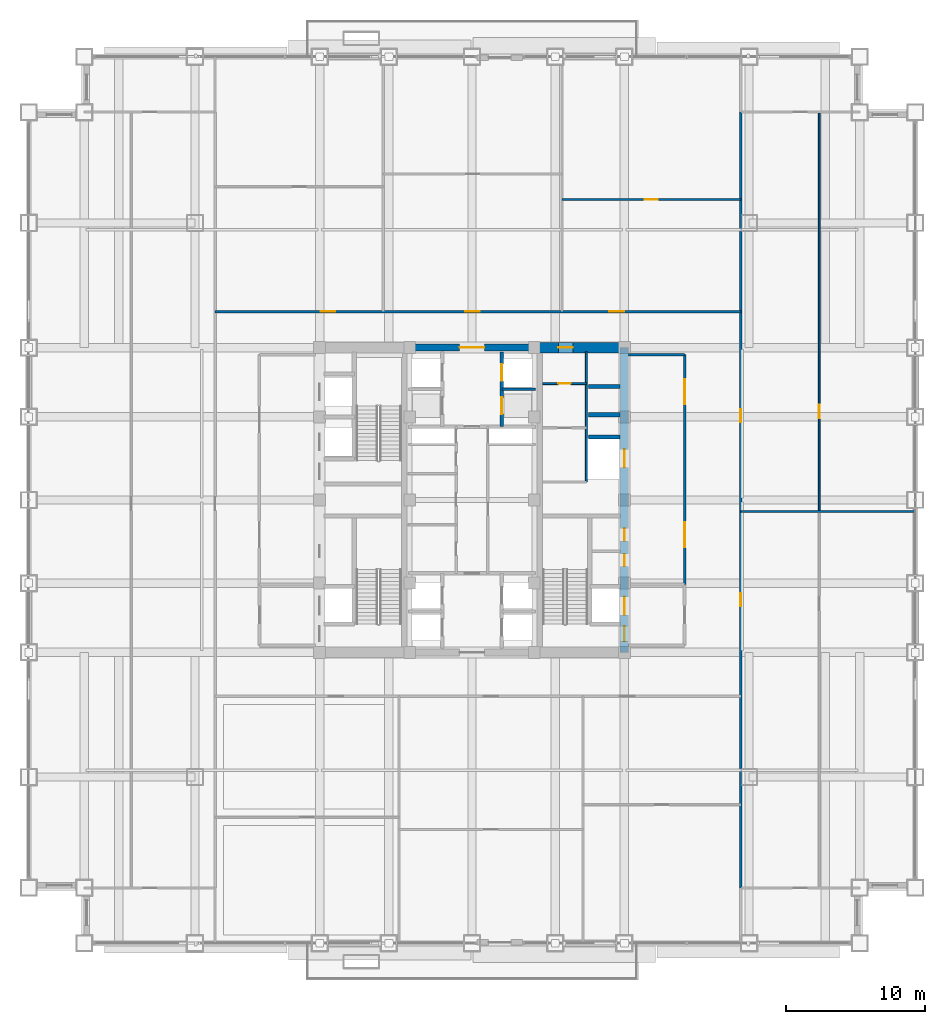
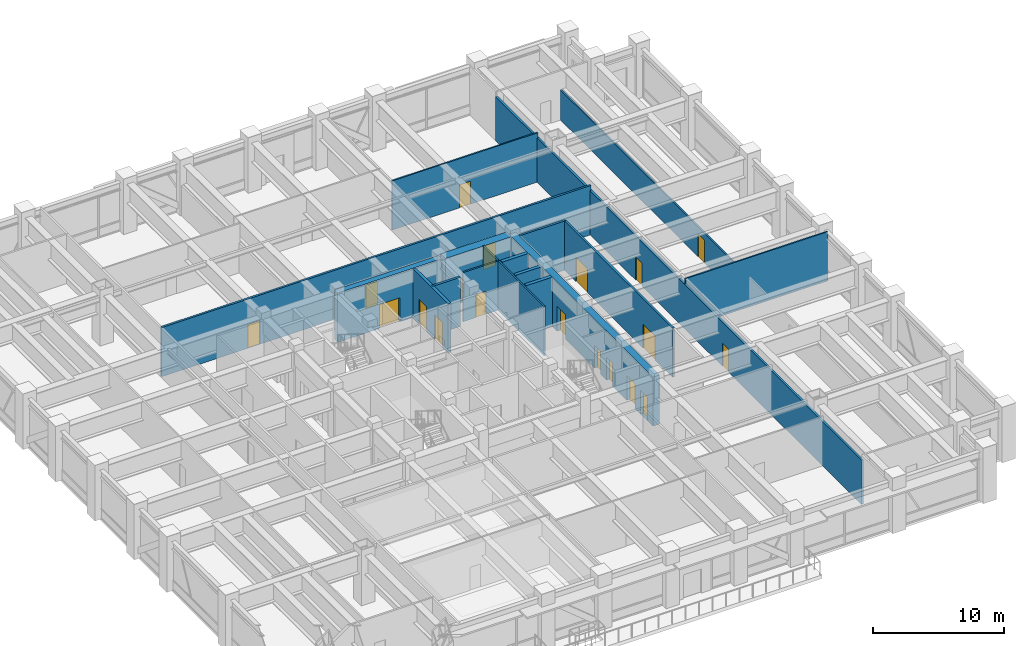
# One storey, part 27 of 34: 19 doors, 17 walls, 19 openings.
"""IFC4 building model written with IfcOpenShell, lengths in metres."""

from ifc_helpers import new_model, si_unit, direction, frame, frame_2d, origin, place, context, subcontext, project, spatial, rectangle, extrude, source, transform, mapped, material, layer, layer_set, type_object, element, fill, save


model = new_model("IFC4")

# Units and contexts
model_context = context("Model", 3, precision=1e-05, world=origin(), true_north=direction((0.0, 1.0)))
body_context = subcontext(model_context, "Body", "Model", "MODEL_VIEW")
ifc_project = project(units=[si_unit("LENGTHUNIT", "METRE"), si_unit("AREAUNIT", "SQUARE_METRE"), si_unit("VOLUMEUNIT", "CUBIC_METRE"), si_unit("PLANEANGLEUNIT", "RADIAN"), si_unit("MASSUNIT", "GRAM", prefix="KILO")], contexts=[model_context])

# Site, building, storey
site_placement = place(None, origin())
site = spatial("IfcSite", under=ifc_project, at=site_placement, CompositionType="ELEMENT")
building_placement = place(site_placement, origin())
building = spatial("IfcBuilding", under=site, at=building_placement, Name="Khorayat Bourse Tower", CompositionType="ELEMENT")
storey_placement = place(building_placement, frame((0.0, 0.0, 144.699951171875)))
storey = spatial("IfcBuildingStorey", under=building, at=storey_placement, Name="L33", CompositionType="ELEMENT", Elevation=144.699951171875)

# Wall, openings, doors
ifc_material_1 = material(Name="Concrete C60/75", Category="concrete")
ifc_layer_1 = layer(ifc_material_1, 0.60009765625)
ifc_layer_set_1 = layer_set([ifc_layer_1], Name="Concrete C60/75")
wall_type_1 = type_object("IfcWallType", Name="WAL-CORE-600", PredefinedType="SHEAR", material=ifc_layer_set_1)
shared_shape_1 = source(origin(), body_context, "Body", "SweptSolid", [
    extrude(rectangle(XDim=22.0, YDim=0.60009765625, at=frame_2d((11.0, 0.0))), origin(), (0.0, 0.0, 1.0), 4.60009765625),
])
wall_1_placement = place(storey_placement, frame((11.0, -11.0, 0.0), z_axis=(0.0, 0.0, 1.0), x_axis=(0.0, 1.0, 0.0)))
wall_1 = element("IfcWall", 1, at=wall_1_placement, inside=storey, type_object=wall_type_1, Name="L33 Core Shear Wall CORE-E", PredefinedType="SHEAR", context=body_context, shape_type="MappedRepresentation", body=[
    mapped(shared_shape_1, transform((0.0, 0.0, 0.0), scale=1.0)),
])
shared_shape_2 = source(origin(), body_context, "Body", "SweptSolid", [
    extrude(rectangle(XDim=1.10009765625, YDim=2.199951171875, at=frame_2d((0.550048828125, 1.10009765625))), frame((0.0, 0.31005859375, 0.0), z_axis=(0.0, -1.0, 0.0), x_axis=(1.0, 0.0, 0.0)), (0.0, 0.0, 1.0), 0.6201171875),
])
opening_1_placement = place(wall_1_placement, frame((0.800048828125, 0.0, 0.0)))
opening_1 = element("IfcOpeningElement", 2, at=opening_1_placement, cuts=wall_1, Name="Opening DI-01", PredefinedType="OPENING", context=body_context, shape_type="MappedRepresentation", body=[
    mapped(shared_shape_2, transform((0.0, 0.0, 0.0), scale=1.0)),
])
shared_shape_3 = source(origin(), body_context, "Body", "SweptSolid", [
    extrude(rectangle(XDim=0.89990234375, YDim=2.14990234375, at=frame_2d((0.449951171875, 1.074951171875))), frame((0.0, 0.31005859375, 0.0), z_axis=(0.0, -1.0, 0.0), x_axis=(1.0, 0.0, 0.0)), (0.0, 0.0, 1.0), 0.6201171875),
])
opening_2_placement = place(wall_1_placement, frame((6.199951171875, 0.0, 0.0)))
opening_2 = element("IfcOpeningElement", 3, at=opening_2_placement, cuts=wall_1, Name="Opening DI-06", PredefinedType="OPENING", context=body_context, shape_type="MappedRepresentation", body=[
    mapped(shared_shape_3, transform((0.0, 0.0, 0.0), scale=1.0)),
])
opening_3_placement = place(wall_1_placement, frame((8.050048828125, 0.0, 0.0)))
opening_3 = element("IfcOpeningElement", 4, at=opening_3_placement, cuts=wall_1, Name="Opening DI-06", PredefinedType="OPENING", context=body_context, shape_type="MappedRepresentation", body=[
    mapped(shared_shape_3, transform((0.0, 0.0, 0.0), scale=1.0)),
])
shared_shape_4 = source(origin(), body_context, "Body", "SweptSolid", [
    extrude(rectangle(XDim=1.300048828125, YDim=2.300048828125, at=frame_2d((0.64990234375, 1.14990234375))), frame((0.0, 0.31005859375, 0.0), z_axis=(0.0, -1.0, 0.0), x_axis=(1.0, 0.0, 0.0)), (0.0, 0.0, 1.0), 0.6201171875),
])
opening_4_placement = place(wall_1_placement, frame((2.699951171875, 0.0, 0.0)))
opening_4 = element("IfcOpeningElement", 5, at=opening_4_placement, cuts=wall_1, Name="Opening LD-02", PredefinedType="OPENING", context=body_context, shape_type="MappedRepresentation", body=[
    mapped(shared_shape_4, transform((0.0, 0.0, 0.0), scale=1.0)),
])
opening_5_placement = place(wall_1_placement, frame((13.35009765625, 0.0, 0.0)))
opening_5 = element("IfcOpeningElement", 6, at=opening_5_placement, cuts=wall_1, Name="Opening LD-02", PredefinedType="OPENING", context=body_context, shape_type="MappedRepresentation", body=[
    mapped(shared_shape_4, transform((0.0, 0.0, 0.0), scale=1.0)),
])
ifc_material_2 = material(Name="Fire-rated steel acoustic leaf", Category="steel")
door_type_1 = type_object("IfcDoorType", Name="DR-INT-STAIR-1100", OperationType="NOTDEFINED", PredefinedType="DOOR", material=ifc_material_2)
shared_shape_5 = source(origin(), body_context, "Body", "SweptSolid", [
    extrude(rectangle(XDim=1.10009765625, YDim=2.199951171875, at=frame_2d((0.550048828125, 1.10009765625))), frame((0.0, 0.02490234375, 0.0), z_axis=(0.0, -1.0, 0.0), x_axis=(1.0, 0.0, 0.0)), (0.0, 0.0, 1.0), 0.050048828125),
])
door_1_placement = place(opening_1_placement, origin())
door_1 = element("IfcDoor", 7, at=door_1_placement, inside=storey, type_object=door_type_1, Name="L33 Exit Stair 3 Door", OperationType="SINGLE_SWING_LEFT", OverallHeight=2.199951171875, OverallWidth=1.10009765625, PredefinedType="DOOR", context=body_context, shape_type="MappedRepresentation", body=[
    mapped(shared_shape_5, transform((0.0, 0.0, 0.0), scale=1.0)),
])
fill(opening_1, door_1)
ifc_material_3 = material(Name="Moisture-resistant laminate washroom door")
door_type_2 = type_object("IfcDoorType", Name="DR-INT-WC-900", OperationType="NOTDEFINED", PredefinedType="DOOR", material=ifc_material_3)
shared_shape_6 = source(origin(), body_context, "Body", "SweptSolid", [
    extrude(rectangle(XDim=0.89990234375, YDim=2.14990234375, at=frame_2d((0.449951171875, 1.074951171875))), frame((0.0, 0.02490234375, 0.0), z_axis=(0.0, -1.0, 0.0), x_axis=(1.0, 0.0, 0.0)), (0.0, 0.0, 1.0), 0.050048828125),
])
door_2_placement = place(opening_2_placement, origin())
door_2 = element("IfcDoor", 8, at=door_2_placement, inside=storey, type_object=door_type_2, Name="L33 Comms Closet Door", OperationType="SINGLE_SWING_LEFT", OverallHeight=2.14990234375, OverallWidth=0.89990234375, PredefinedType="DOOR", context=body_context, shape_type="MappedRepresentation", body=[
    mapped(shared_shape_6, transform((0.0, 0.0, 0.0), scale=1.0)),
])
fill(opening_2, door_2)
door_3_placement = place(opening_3_placement, origin())
door_3 = element("IfcDoor", 9, at=door_3_placement, inside=storey, type_object=door_type_2, Name="L33 Cleaner Store Door", OperationType="SINGLE_SWING_RIGHT", OverallHeight=2.14990234375, OverallWidth=0.89990234375, PredefinedType="DOOR", context=body_context, shape_type="MappedRepresentation", body=[
    mapped(shared_shape_6, transform((0.0, 0.0, 0.0), scale=1.0)),
])
fill(opening_3, door_3)
ifc_material_4 = material(Name="Fire-rated stainless-steel sliding landing door", Category="steel")
door_type_3 = type_object("IfcDoorType", Name="DR-LIFT-FF-1300", OperationType="NOTDEFINED", PredefinedType="DOOR", material=ifc_material_4)
shared_shape_7 = source(origin(), body_context, "Body", "SweptSolid", [
    extrude(rectangle(XDim=1.300048828125, YDim=2.300048828125, at=frame_2d((0.64990234375, 1.14990234375))), frame((0.0, 0.02490234375, 0.0), z_axis=(0.0, -1.0, 0.0), x_axis=(1.0, 0.0, 0.0)), (0.0, 0.0, 1.0), 0.050048828125),
])
door_4_placement = place(opening_4_placement, origin())
door_4 = element("IfcDoor", 10, at=door_4_placement, inside=storey, type_object=door_type_3, Name="L33 Lift FFL-02 Sliding Landing Door", OperationType="SLIDING_TO_LEFT", OverallHeight=2.300048828125, OverallWidth=1.300048828125, PredefinedType="DOOR", context=body_context, shape_type="MappedRepresentation", body=[
    mapped(shared_shape_7, transform((0.0, 0.0, 0.0), scale=1.0)),
])
fill(opening_4, door_4)
door_5_placement = place(opening_5_placement, origin())
door_5 = element("IfcDoor", 11, at=door_5_placement, inside=storey, type_object=door_type_3, Name="L33 Lift SVL-01 Sliding Landing Door", OperationType="SLIDING_TO_LEFT", OverallHeight=2.300048828125, OverallWidth=1.300048828125, PredefinedType="DOOR", context=body_context, shape_type="MappedRepresentation", body=[
    mapped(shared_shape_7, transform((0.0, 0.0, 0.0), scale=1.0)),
])
fill(opening_5, door_5)

# Wall, opening, door
ifc_material_5 = material(Name="Concrete C72/90", Category="concrete")
ifc_layer_2 = layer(ifc_material_5, 0.75)
ifc_layer_set_2 = layer_set([ifc_layer_2], Name="Concrete C72/90")
wall_type_2 = type_object("IfcWallType", Name="WAL-CORE-750", PredefinedType="SHEAR", material=ifc_layer_set_2)
shared_shape_8 = source(origin(), body_context, "Body", "SweptSolid", [
    extrude(rectangle(XDim=5.849853515625, YDim=0.75, at=frame_2d((2.9248046875, 0.0))), origin(), (0.0, 0.0, 1.0), 4.60009765625),
])
wall_2_placement = place(storey_placement, frame((4.85009765625, 11.0, 0.0), z_axis=(0.0, 0.0, 1.0), x_axis=(1.0, 0.0, 0.0)))
wall_2 = element("IfcWall", 12, at=wall_2_placement, inside=storey, type_object=wall_type_2, Name="L33 Core Shear Wall PIER-EN", PredefinedType="SHEAR", context=body_context, shape_type="MappedRepresentation", body=[
    mapped(shared_shape_8, transform((0.0, 0.0, 0.0), scale=1.0)),
])
shared_shape_9 = source(origin(), body_context, "Body", "SweptSolid", [
    extrude(rectangle(XDim=1.050048828125, YDim=2.199951171875, at=frame_2d((0.52490234375, 1.10009765625))), frame((0.0, 0.385009765625, 0.0), z_axis=(0.0, -1.0, 0.0), x_axis=(1.0, 0.0, 0.0)), (0.0, 0.0, 1.0), 0.77001953125),
])
opening_6_placement = place(wall_2_placement, frame((1.375, 0.0, 0.0)))
opening_6 = element("IfcOpeningElement", 13, at=opening_6_placement, cuts=wall_2, Name="Opening DI-04", PredefinedType="OPENING", context=body_context, shape_type="MappedRepresentation", body=[
    mapped(shared_shape_9, transform((0.0, 0.0, 0.0), scale=1.0)),
])
ifc_material_6 = material(Name="Fire-rated oak veneer suite entrance door")
door_type_4 = type_object("IfcDoorType", Name="DR-INT-SUITE-1050", OperationType="NOTDEFINED", PredefinedType="DOOR", material=ifc_material_6)
shared_shape_10 = source(origin(), body_context, "Body", "SweptSolid", [
    extrude(rectangle(XDim=1.050048828125, YDim=2.199951171875, at=frame_2d((0.52490234375, 1.10009765625))), frame((0.0, 0.02490234375, 0.0), z_axis=(0.0, -1.0, 0.0), x_axis=(1.0, 0.0, 0.0)), (0.0, 0.0, 1.0), 0.050048828125),
])
door_6_placement = place(opening_6_placement, origin())
door_6 = element("IfcDoor", 14, at=door_6_placement, inside=storey, type_object=door_type_4, Name="L33 Core Washroom Lobby Door", OperationType="SINGLE_SWING_LEFT", OverallHeight=2.199951171875, OverallWidth=1.050048828125, PredefinedType="DOOR", context=body_context, shape_type="MappedRepresentation", body=[
    mapped(shared_shape_10, transform((0.0, 0.0, 0.0), scale=1.0)),
])
fill(opening_6, door_6)

ifc_material_7 = material(Name="Concrete C52/65", Category="concrete")
ifc_layer_3 = layer(ifc_material_7, 0.5)
ifc_layer_set_3 = layer_set([ifc_layer_3], Name="Concrete C52/65")
wall_type_3 = type_object("IfcWallType", Name="WAL-CORE-500", PredefinedType="SHEAR", material=ifc_layer_set_3)
shared_shape_11 = source(origin(), body_context, "Body", "SweptSolid", [
    extrude(rectangle(XDim=9.2001953125, YDim=0.5, at=frame_2d((4.60009765625, 0.0))), origin(), (0.0, 0.0, 1.0), 4.60009765625),
])
wall_3_placement = place(storey_placement, frame((-4.60009765625, 11.0, 0.0), z_axis=(0.0, 0.0, 1.0), x_axis=(1.0, 0.0, 0.0)))
wall_3 = element("IfcWall", 15, at=wall_3_placement, inside=storey, type_object=wall_type_3, Name="L33 Core Shear Wall CORE-N", PredefinedType="SHEAR", context=body_context, shape_type="MappedRepresentation", body=[
    mapped(shared_shape_11, transform((0.0, 0.0, 0.0), scale=1.0)),
])
shared_shape_12 = source(origin(), body_context, "Body", "SweptSolid", [
    extrude(rectangle(XDim=1.800048828125, YDim=2.25, at=frame_2d((0.89990234375, 1.125))), frame((0.0, 0.260009765625, 0.0), z_axis=(0.0, -1.0, 0.0), x_axis=(1.0, 0.0, 0.0)), (0.0, 0.0, 1.0), 0.52001953125),
])
opening_7_placement = place(wall_3_placement, frame((3.699951171875, 0.0, 0.0)))
opening_7 = element("IfcOpeningElement", 16, at=opening_7_placement, cuts=wall_3, Name="Opening DI-03", PredefinedType="OPENING", context=body_context, shape_type="MappedRepresentation", body=[
    mapped(shared_shape_12, transform((0.0, 0.0, 0.0), scale=1.0)),
])
ifc_material_8 = material(Name="Fire-rated hardwood vision-panel double leaf", Category="wood")
door_type_5 = type_object("IfcDoorType", Name="DR-INT-CORR-1800", OperationType="NOTDEFINED", PredefinedType="DOOR", material=ifc_material_8)
shared_shape_13 = source(origin(), body_context, "Body", "SweptSolid", [
    extrude(rectangle(XDim=1.800048828125, YDim=2.25, at=frame_2d((0.89990234375, 1.125))), frame((0.0, 0.02490234375, 0.0), z_axis=(0.0, -1.0, 0.0), x_axis=(1.0, 0.0, 0.0)), (0.0, 0.0, 1.0), 0.050048828125),
])
door_7_placement = place(opening_7_placement, origin())
door_7 = element("IfcDoor", 17, at=door_7_placement, inside=storey, type_object=door_type_5, Name="L33 Mid-Rise Lift Lobby Door", OperationType="SINGLE_SWING_RIGHT", OverallHeight=2.25, OverallWidth=1.800048828125, PredefinedType="DOOR", context=body_context, shape_type="MappedRepresentation", body=[
    mapped(shared_shape_13, transform((0.0, 0.0, 0.0), scale=1.0)),
])
fill(opening_7, door_7)

# Walls
ifc_material_9 = material(Name="Concrete C50/60", Category="concrete")
ifc_layer_4 = layer(ifc_material_9, 0.300048828125)
ifc_layer_set_4 = layer_set([ifc_layer_4], Name="Concrete C50/60")
wall_type_4 = type_object("IfcWallType", Name="WAL-SHAFT-300", PredefinedType="SHEAR", material=ifc_layer_set_4)
shared_shape_14 = source(origin(), body_context, "Body", "SweptSolid", [
    extrude(rectangle(XDim=2.300048828125, YDim=0.300048828125, at=frame_2d((1.14990234375, 0.0))), origin(), (0.0, 0.0, 1.0), 4.60009765625),
])
for number, where, z_axis, x_axis, name in (
    (18, (8.39990234375, 4.550048828125, 0.0), (0.0, 0.0, 1.0), (1.0, 0.0, 0.0), "L33 Partition WAL-L33-EPIER-SVLN"),
    (19, (8.39990234375, 6.14990234375, 0.0), (0.0, 0.0, 1.0), (1.0, 0.0, 0.0), "L33 Partition WAL-L33-EPIER-H3S"),
    (20, (8.39990234375, 8.199951171875, 0.0), (0.0, 0.0, 1.0), (1.0, 0.0, 0.0), "L33 Partition WAL-L33-EPIER-H34"),
):
    element("IfcWall", number, at=place(storey_placement, frame(where, z_axis=z_axis, x_axis=x_axis)), inside=storey, type_object=wall_type_4, Name=name, PredefinedType="SHEAR", context=body_context, shape_type="MappedRepresentation", body=[
        mapped(shared_shape_14, transform((0.0, 0.0, 0.0), scale=1.0)),
    ])
ifc_material_10 = material(Name="Moisture-resistant masonry partition", Category="masonry")
ifc_layer_5 = layer(ifc_material_10, 0.139892578125)
ifc_layer_set_5 = layer_set([ifc_layer_5], Name="Moisture-resistant masonry partition")
wall_type_5 = type_object("IfcWallType", Name="WAL-PART-WET-140", PredefinedType="PARTITIONING", material=ifc_layer_set_5)
shared_shape_15 = source(origin(), body_context, "Body", "SweptSolid", [
    extrude(rectangle(XDim=9.39990234375, YDim=0.139892578125, at=frame_2d((4.699951171875, 0.0))), origin(), (0.0, 0.0, 1.0), 4.60009765625),
])
wall_4_placement = place(storey_placement, frame((8.25, 1.300048828125, 0.0), z_axis=(0.0, 0.0, 1.0), x_axis=(0.0, 1.0, 0.0)))
element("IfcWall", 21, at=wall_4_placement, inside=storey, type_object=wall_type_5, Name="L33 Partition WAL-L33-ECORE-E", PredefinedType="PARTITIONING", context=body_context, shape_type="MappedRepresentation", body=[
    mapped(shared_shape_15, transform((0.0, 0.0, 0.0), scale=1.0)),
])

# Wall, opening, door
shared_shape_16 = source(origin(), body_context, "Body", "SweptSolid", [
    extrude(rectangle(XDim=3.14990234375, YDim=0.139892578125, at=frame_2d((1.574951171875, 0.0))), origin(), (0.0, 0.0, 1.0), 4.60009765625),
])
wall_5_placement = place(storey_placement, frame((5.10009765625, 8.39990234375, 0.0), z_axis=(0.0, 0.0, 1.0), x_axis=(1.0, 0.0, 0.0)))
wall_5 = element("IfcWall", 22, at=wall_5_placement, inside=storey, type_object=wall_type_5, Name="L33 Partition WAL-L33-ECW-TOP", PredefinedType="PARTITIONING", context=body_context, shape_type="MappedRepresentation", body=[
    mapped(shared_shape_16, transform((0.0, 0.0, 0.0), scale=1.0)),
])
shared_shape_17 = source(origin(), body_context, "Body", "SweptSolid", [
    extrude(rectangle(XDim=0.89990234375, YDim=2.14990234375, at=frame_2d((0.449951171875, 1.074951171875))), frame((0.0, 0.079833984375, 0.0), z_axis=(0.0, -1.0, 0.0), x_axis=(1.0, 0.0, 0.0)), (0.0, 0.0, 1.0), 0.159912109375),
])
opening_8_placement = place(wall_5_placement, frame((1.1298828125, 0.0, 0.0)))
opening_8 = element("IfcOpeningElement", 23, at=opening_8_placement, cuts=wall_5, Name="Opening DI-06", PredefinedType="OPENING", context=body_context, shape_type="MappedRepresentation", body=[
    mapped(shared_shape_17, transform((0.0, 0.0, 0.0), scale=1.0)),
])
door_8_placement = place(opening_8_placement, origin())
door_8 = element("IfcDoor", 24, at=door_8_placement, inside=storey, type_object=door_type_2, Name="L33 Accessible WC Door", OperationType="SINGLE_SWING_LEFT", OverallHeight=2.14990234375, OverallWidth=0.89990234375, PredefinedType="DOOR", context=body_context, shape_type="MappedRepresentation", body=[
    mapped(shared_shape_6, transform((0.0, 0.0, 0.0), scale=1.0)),
])
fill(opening_8, door_8)

# Wall
ifc_material_11 = material(Name="Gypsum plasterboard acoustic stud wall")
ifc_layer_6 = layer(ifc_material_11, 0.179931640625)
ifc_layer_set_6 = layer_set([ifc_layer_6], Name="Gypsum plasterboard acoustic stud wall")
wall_type_6 = type_object("IfcWallType", Name="WAL-PART-CORR-180", PredefinedType="PARTITIONING", material=ifc_layer_set_6)
shared_shape_18 = source(origin(), body_context, "Body", "SweptSolid", [
    extrude(rectangle(XDim=4.050048828125, YDim=0.179931640625, at=frame_2d((2.02490234375, 0.0))), origin(), (0.0, 0.0, 1.0), 4.60009765625),
])
wall_6_placement = place(storey_placement, frame((11.300048828125, 10.5, 0.0), z_axis=(0.0, 0.0, 1.0), x_axis=(1.0, 0.0, 0.0)))
element("IfcWall", 25, at=wall_6_placement, inside=storey, type_object=wall_type_6, Name="L33 Partition WAL-L33-ELOB-N", PredefinedType="PARTITIONING", context=body_context, shape_type="MappedRepresentation", body=[
    mapped(shared_shape_18, transform((0.0, 0.0, 0.0), scale=1.0)),
])

# Wall, openings, doors
shared_shape_19 = source(origin(), body_context, "Body", "SweptSolid", [
    extrude(rectangle(XDim=16.60009765625, YDim=0.179931640625, at=frame_2d((8.300048828125, 0.0))), origin(), (0.0, 0.0, 1.0), 4.60009765625),
])
wall_7_placement = place(storey_placement, frame((15.35009765625, -6.10009765625, 0.0), z_axis=(0.0, 0.0, 1.0), x_axis=(0.0, 1.0, 0.0)))
wall_7 = element("IfcWall", 26, at=wall_7_placement, inside=storey, type_object=wall_type_6, Name="L33 Partition WAL-L33-ELOB-E", PredefinedType="PARTITIONING", context=body_context, shape_type="MappedRepresentation", body=[
    mapped(shared_shape_19, transform((0.0, 0.0, 0.0), scale=1.0)),
])
shared_shape_20 = source(origin(), body_context, "Body", "SweptSolid", [
    extrude(rectangle(XDim=1.800048828125, YDim=2.25, at=frame_2d((0.89990234375, 1.125))), frame((0.0, 0.099853515625, 0.0), z_axis=(0.0, -1.0, 0.0), x_axis=(1.0, 0.0, 0.0)), (0.0, 0.0, 1.0), 0.199951171875),
])
opening_9_placement = place(wall_7_placement, frame((2.699951171875, 0.0, 0.0)))
opening_9 = element("IfcOpeningElement", 27, at=opening_9_placement, cuts=wall_7, Name="Opening DI-03", PredefinedType="OPENING", context=body_context, shape_type="MappedRepresentation", body=[
    mapped(shared_shape_20, transform((0.0, 0.0, 0.0), scale=1.0)),
])
opening_10_placement = place(wall_7_placement, frame((13.0, 0.0, 0.0)))
opening_10 = element("IfcOpeningElement", 28, at=opening_10_placement, cuts=wall_7, Name="Opening DI-03", PredefinedType="OPENING", context=body_context, shape_type="MappedRepresentation", body=[
    mapped(shared_shape_20, transform((0.0, 0.0, 0.0), scale=1.0)),
])
door_9_placement = place(opening_9_placement, origin())
door_9 = element("IfcDoor", 29, at=door_9_placement, inside=storey, type_object=door_type_5, Name="L33 East Core Lobby South Door", OperationType="SINGLE_SWING_RIGHT", OverallHeight=2.25, OverallWidth=1.800048828125, PredefinedType="DOOR", context=body_context, shape_type="MappedRepresentation", body=[
    mapped(shared_shape_13, transform((0.0, 0.0, 0.0), scale=1.0)),
])
fill(opening_9, door_9)
door_10_placement = place(opening_10_placement, origin())
door_10 = element("IfcDoor", 30, at=door_10_placement, inside=storey, type_object=door_type_5, Name="L33 East Core Lobby North Door", OperationType="SINGLE_SWING_LEFT", OverallHeight=2.25, OverallWidth=1.800048828125, PredefinedType="DOOR", context=body_context, shape_type="MappedRepresentation", body=[
    mapped(shared_shape_13, transform((0.0, 0.0, 0.0), scale=1.0)),
])
fill(opening_10, door_10)

shared_shape_21 = source(origin(), body_context, "Body", "SweptSolid", [
    extrude(rectangle(XDim=5.39990234375, YDim=0.25, at=frame_2d((2.699951171875, 0.0))), origin(), (0.0, 0.0, 1.0), 4.60009765625),
])
wall_8_placement = place(storey_placement, frame((2.14990234375, 5.300048828125, 0.0), z_axis=(0.0, 0.0, 1.0), x_axis=(0.0, 1.0, 0.0)))
wall_8 = element("IfcWall", 31, at=wall_8_placement, inside=storey, type_object=wall_type_4, Name="L33 Partition WAL-L33-B2-E", PredefinedType="SHEAR", context=body_context, shape_type="MappedRepresentation", body=[
    mapped(shared_shape_21, transform((0.0, 0.0, 0.0), scale=1.0)),
])
shared_shape_22 = source(origin(), body_context, "Body", "SweptSolid", [
    extrude(rectangle(XDim=1.199951171875, YDim=2.300048828125, at=frame_2d((0.60009765625, 1.14990234375))), frame((0.0, 0.135009765625, 0.0), z_axis=(0.0, -1.0, 0.0), x_axis=(1.0, 0.0, 0.0)), (0.0, 0.0, 1.0), 0.27001953125),
])
opening_11_placement = place(wall_8_placement, frame((3.300048828125, 0.0, 0.0)))
opening_11 = element("IfcOpeningElement", 32, at=opening_11_placement, cuts=wall_8, Name="Opening LD-01", PredefinedType="OPENING", context=body_context, shape_type="MappedRepresentation", body=[
    mapped(shared_shape_22, transform((0.0, 0.0, 0.0), scale=1.0)),
])
opening_12_placement = place(wall_8_placement, frame((0.89990234375, 0.0, 0.0)))
opening_12 = element("IfcOpeningElement", 33, at=opening_12_placement, cuts=wall_8, Name="Opening LD-01", PredefinedType="OPENING", context=body_context, shape_type="MappedRepresentation", body=[
    mapped(shared_shape_22, transform((0.0, 0.0, 0.0), scale=1.0)),
])
ifc_material_12 = material(Name="Brushed bronze stainless-steel sliding door", Category="steel")
door_type_6 = type_object("IfcDoorType", Name="DR-LIFT-PASS-1200", OperationType="NOTDEFINED", PredefinedType="DOOR", material=ifc_material_12)
shared_shape_23 = source(origin(), body_context, "Body", "SweptSolid", [
    extrude(rectangle(XDim=1.199951171875, YDim=2.300048828125, at=frame_2d((0.60009765625, 1.14990234375))), frame((0.0, 0.02490234375, 0.0), z_axis=(0.0, -1.0, 0.0), x_axis=(1.0, 0.0, 0.0)), (0.0, 0.0, 1.0), 0.050048828125),
])
door_11_placement = place(opening_11_placement, origin())
door_11 = element("IfcDoor", 34, at=door_11_placement, inside=storey, type_object=door_type_6, Name="L33 Lift PL-M2 Sliding Landing Door", OperationType="SLIDING_TO_LEFT", OverallHeight=2.300048828125, OverallWidth=1.199951171875, PredefinedType="DOOR", context=body_context, shape_type="MappedRepresentation", body=[
    mapped(shared_shape_23, transform((0.0, 0.0, 0.0), scale=1.0)),
])
fill(opening_11, door_11)
door_12_placement = place(opening_12_placement, origin())
door_12 = element("IfcDoor", 35, at=door_12_placement, inside=storey, type_object=door_type_6, Name="L33 Lift PL-M4 Sliding Landing Door", OperationType="SLIDING_TO_LEFT", OverallHeight=2.300048828125, OverallWidth=1.199951171875, PredefinedType="DOOR", context=body_context, shape_type="MappedRepresentation", body=[
    mapped(shared_shape_23, transform((0.0, 0.0, 0.0), scale=1.0)),
])
fill(opening_12, door_12)

# Wall
shared_shape_24 = source(origin(), body_context, "Body", "SweptSolid", [
    extrude(rectangle(XDim=2.4501953125, YDim=0.199951171875, at=frame_2d((1.22509765625, 0.0))), origin(), (0.0, 0.0, 1.0), 4.60009765625),
])
wall_9_placement = place(storey_placement, frame((2.14990234375, 8.0, 0.0), z_axis=(0.0, 0.0, 1.0), x_axis=(1.0, 0.0, 0.0)))
element("IfcWall", 36, at=wall_9_placement, inside=storey, type_object=wall_type_4, Name="L33 Partition WAL-L33-B2-ME", PredefinedType="SHEAR", context=body_context, shape_type="MappedRepresentation", body=[
    mapped(shared_shape_24, transform((0.0, 0.0, 0.0), scale=1.0)),
])

# Wall, openings, doors
shared_shape_25 = source(origin(), body_context, "Body", "SweptSolid", [
    extrude(rectangle(XDim=37.949951171875, YDim=0.179931640625, at=frame_2d((18.97509765625, 0.0))), origin(), (0.0, 0.0, 1.0), 4.60009765625),
])
wall_10_placement = place(storey_placement, frame((-18.550048828125, 13.60009765625, 0.0), z_axis=(0.0, 0.0, 1.0), x_axis=(1.0, 0.0, 0.0)))
wall_10 = element("IfcWall", 37, at=wall_10_placement, inside=storey, type_object=wall_type_6, Name="L33 Partition WAL-L33-NCORR", PredefinedType="PARTITIONING", context=body_context, shape_type="MappedRepresentation", body=[
    mapped(shared_shape_25, transform((0.0, 0.0, 0.0), scale=1.0)),
])
shared_shape_26 = source(origin(), body_context, "Body", "SweptSolid", [
    extrude(rectangle(XDim=1.050048828125, YDim=2.199951171875, at=frame_2d((0.52490234375, 1.10009765625))), frame((0.0, 0.099853515625, 0.0), z_axis=(0.0, -1.0, 0.0), x_axis=(1.0, 0.0, 0.0)), (0.0, 0.0, 1.0), 0.199951171875),
])
opening_13_placement = place(wall_10_placement, frame((7.6220703125, 0.0, 0.0)))
opening_13 = element("IfcOpeningElement", 38, at=opening_13_placement, cuts=wall_10, Name="Opening DI-04", PredefinedType="OPENING", context=body_context, shape_type="MappedRepresentation", body=[
    mapped(shared_shape_26, transform((0.0, 0.0, 0.0), scale=1.0)),
])
opening_14_placement = place(wall_10_placement, frame((18.070556640625, 0.0, 0.0)))
opening_14 = element("IfcOpeningElement", 39, at=opening_14_placement, cuts=wall_10, Name="Opening DI-04", PredefinedType="OPENING", context=body_context, shape_type="MappedRepresentation", body=[
    mapped(shared_shape_26, transform((0.0, 0.0, 0.0), scale=1.0)),
])
opening_15_placement = place(wall_10_placement, frame((28.473388671875, 0.0, 0.0)))
opening_15 = element("IfcOpeningElement", 40, at=opening_15_placement, cuts=wall_10, Name="Opening DI-04", PredefinedType="OPENING", context=body_context, shape_type="MappedRepresentation", body=[
    mapped(shared_shape_26, transform((0.0, 0.0, 0.0), scale=1.0)),
])
door_13_placement = place(opening_13_placement, origin())
door_13 = element("IfcDoor", 41, at=door_13_placement, inside=storey, type_object=door_type_4, Name="L33 North Sky Terrace Lounge N1 Door", OperationType="SINGLE_SWING_RIGHT", OverallHeight=2.199951171875, OverallWidth=1.050048828125, PredefinedType="DOOR", context=body_context, shape_type="MappedRepresentation", body=[
    mapped(shared_shape_10, transform((0.0, 0.0, 0.0), scale=1.0)),
])
fill(opening_13, door_13)
door_14_placement = place(opening_14_placement, origin())
door_14 = element("IfcDoor", 42, at=door_14_placement, inside=storey, type_object=door_type_4, Name="L33 Staff Tea Pantry N2 Door", OperationType="SINGLE_SWING_LEFT", OverallHeight=2.199951171875, OverallWidth=1.050048828125, PredefinedType="DOOR", context=body_context, shape_type="MappedRepresentation", body=[
    mapped(shared_shape_10, transform((0.0, 0.0, 0.0), scale=1.0)),
])
fill(opening_14, door_14)
door_15_placement = place(opening_15_placement, origin())
door_15 = element("IfcDoor", 43, at=door_15_placement, inside=storey, type_object=door_type_4, Name="L33 Market Reference Library N3 Door", OperationType="SINGLE_SWING_RIGHT", OverallHeight=2.199951171875, OverallWidth=1.050048828125, PredefinedType="DOOR", context=body_context, shape_type="MappedRepresentation", body=[
    mapped(shared_shape_10, transform((0.0, 0.0, 0.0), scale=1.0)),
])
fill(opening_15, door_15)

# Wall, opening, door
ifc_material_13 = material(Name="Gypsum plasterboard partition")
ifc_layer_7 = layer(ifc_material_13, 0.125)
ifc_layer_set_7 = layer_set([ifc_layer_7], Name="Gypsum plasterboard partition")
wall_type_7 = type_object("IfcWallType", Name="WAL-PART-ROOM-125", PredefinedType="PARTITIONING", material=ifc_layer_set_7)
shared_shape_27 = source(origin(), body_context, "Body", "SweptSolid", [
    extrude(rectangle(XDim=12.90283203125, YDim=0.125, at=frame_2d((6.451416015625, 0.0))), origin(), (0.0, 0.0, 1.0), 4.60009765625),
])
wall_11_placement = place(storey_placement, frame((6.4970703125, 21.696044921875, 0.0), z_axis=(0.0, 0.0, 1.0), x_axis=(1.0, 0.0, 0.0)))
wall_11 = element("IfcWall", 44, at=wall_11_placement, inside=storey, type_object=wall_type_7, Name="L33 Partition WAL-L33-NDP-3", PredefinedType="PARTITIONING", context=body_context, shape_type="MappedRepresentation", body=[
    mapped(shared_shape_27, transform((0.0, 0.0, 0.0), scale=1.0)),
])
shared_shape_28 = source(origin(), body_context, "Body", "SweptSolid", [
    extrude(rectangle(XDim=0.949951171875, YDim=2.14990234375, at=frame_2d((0.47509765625, 1.074951171875))), frame((0.0, 0.072509765625, 0.0), z_axis=(0.0, -1.0, 0.0), x_axis=(1.0, 0.0, 0.0)), (0.0, 0.0, 1.0), 0.14501953125),
])
opening_16_placement = place(wall_11_placement, frame((5.9765625, 0.0, 0.0)))
opening_16 = element("IfcOpeningElement", 45, at=opening_16_placement, cuts=wall_11, Name="Opening DI-05", PredefinedType="OPENING", context=body_context, shape_type="MappedRepresentation", body=[
    mapped(shared_shape_28, transform((0.0, 0.0, 0.0), scale=1.0)),
])
ifc_material_14 = material(Name="Acoustic oak veneer office door")
door_type_7 = type_object("IfcDoorType", Name="DR-INT-OFFICE-950", OperationType="NOTDEFINED", PredefinedType="DOOR", material=ifc_material_14)
shared_shape_29 = source(origin(), body_context, "Body", "SweptSolid", [
    extrude(rectangle(XDim=0.949951171875, YDim=2.14990234375, at=frame_2d((0.47509765625, 1.074951171875))), frame((0.0, 0.02490234375, 0.0), z_axis=(0.0, -1.0, 0.0), x_axis=(1.0, 0.0, 0.0)), (0.0, 0.0, 1.0), 0.050048828125),
])
door_16_placement = place(opening_16_placement, origin())
door_16 = element("IfcDoor", 46, at=door_16_placement, inside=storey, type_object=door_type_7, Name="L33 Executive Boardroom N3B Door", OperationType="SINGLE_SWING_RIGHT", OverallHeight=2.14990234375, OverallWidth=0.949951171875, PredefinedType="DOOR", context=body_context, shape_type="MappedRepresentation", body=[
    mapped(shared_shape_29, transform((0.0, 0.0, 0.0), scale=1.0)),
])
fill(opening_16, door_16)

# Wall
shared_shape_30 = source(origin(), body_context, "Body", "SweptSolid", [
    extrude(rectangle(XDim=12.60009765625, YDim=0.125, at=frame_2d((6.300048828125, 0.0))), origin(), (0.0, 0.0, 1.0), 4.60009765625),
])
wall_12_placement = place(storey_placement, frame((19.39990234375, -0.830078125, 0.0), z_axis=(0.0, 0.0, 1.0), x_axis=(1.0, 0.0, 0.0)))
element("IfcWall", 47, at=wall_12_placement, inside=storey, type_object=wall_type_7, Name="L33 Partition WAL-L33-EDV-1", PredefinedType="PARTITIONING", context=body_context, shape_type="MappedRepresentation", body=[
    mapped(shared_shape_30, transform((0.0, 0.0, 0.0), scale=1.0)),
])

# Wall, opening, door
shared_shape_31 = source(origin(), body_context, "Body", "SweptSolid", [
    extrude(rectangle(XDim=28.830078125, YDim=0.125, at=frame_2d((14.4150390625, 0.0))), origin(), (0.0, 0.0, 1.0), 2.800048828125),
])
wall_13_placement = place(storey_placement, frame((25.070068359375, -0.830078125, 0.0), z_axis=(0.0, 0.0, 1.0), x_axis=(0.0, 1.0, 0.0)))
wall_13 = element("IfcWall", 48, at=wall_13_placement, inside=storey, type_object=wall_type_7, Name="L33 Partition WAL-L33-EDP-2", PredefinedType="PARTITIONING", context=body_context, shape_type="MappedRepresentation", body=[
    mapped(shared_shape_31, transform((0.0, 0.0, 0.0), scale=1.0)),
])
opening_17_placement = place(wall_13_placement, frame((6.739990234375, 0.0, 0.0)))
opening_17 = element("IfcOpeningElement", 49, at=opening_17_placement, cuts=wall_13, Name="Opening DI-05", PredefinedType="OPENING", context=body_context, shape_type="MappedRepresentation", body=[
    mapped(shared_shape_28, transform((0.0, 0.0, 0.0), scale=1.0)),
])
door_17_placement = place(opening_17_placement, origin())
door_17 = element("IfcDoor", 50, at=door_17_placement, inside=storey, type_object=door_type_7, Name="L33 Members Exchange Lounge E2B Door", OperationType="SINGLE_SWING_LEFT", OverallHeight=2.14990234375, OverallWidth=0.949951171875, PredefinedType="DOOR", context=body_context, shape_type="MappedRepresentation", body=[
    mapped(shared_shape_29, transform((0.0, 0.0, 0.0), scale=1.0)),
])
fill(opening_17, door_17)

# Wall, openings, doors
shared_shape_32 = source(origin(), body_context, "Body", "SweptSolid", [
    extrude(rectangle(XDim=56.0, YDim=0.179931640625, at=frame_2d((28.0, 0.0))), origin(), (0.0, 0.0, 1.0), 4.131103515625),
])
wall_14_placement = place(storey_placement, frame((19.39990234375, -28.0, 0.0), z_axis=(0.0, 0.0, 1.0), x_axis=(0.0, 1.0, 0.0)))
wall_14 = element("IfcWall", 51, at=wall_14_placement, inside=storey, type_object=wall_type_6, Name="L33 Partition WAL-L33-ECORR", PredefinedType="PARTITIONING", context=body_context, shape_type="MappedRepresentation", body=[
    mapped(shared_shape_32, transform((0.0, 0.0, 0.0), scale=1.0)),
])
shared_shape_33 = source(origin(), body_context, "Body", "SweptSolid", [
    extrude(rectangle(XDim=0.949951171875, YDim=2.14990234375, at=frame_2d((0.47509765625, 1.074951171875))), frame((0.0, 0.099853515625, 0.0), z_axis=(0.0, -1.0, 0.0), x_axis=(1.0, 0.0, 0.0)), (0.0, 0.0, 1.0), 0.199951171875),
])
opening_18_placement = place(wall_14_placement, frame((20.3349609375, 0.0, 0.0)))
opening_18 = element("IfcOpeningElement", 52, at=opening_18_placement, cuts=wall_14, Name="Opening DI-05", PredefinedType="OPENING", context=body_context, shape_type="MappedRepresentation", body=[
    mapped(shared_shape_33, transform((0.0, 0.0, 0.0), scale=1.0)),
])
opening_19_placement = place(wall_14_placement, frame((33.610107421875, 0.0, 0.0)))
opening_19 = element("IfcOpeningElement", 53, at=opening_19_placement, cuts=wall_14, Name="Opening DI-05", PredefinedType="OPENING", context=body_context, shape_type="MappedRepresentation", body=[
    mapped(shared_shape_33, transform((0.0, 0.0, 0.0), scale=1.0)),
])
door_18_placement = place(opening_18_placement, origin())
door_18 = element("IfcDoor", 54, at=door_18_placement, inside=storey, type_object=door_type_7, Name="L33 Floor Reception Concierge E1 Door", OperationType="SINGLE_SWING_RIGHT", OverallHeight=2.14990234375, OverallWidth=0.949951171875, PredefinedType="DOOR", context=body_context, shape_type="MappedRepresentation", body=[
    mapped(shared_shape_29, transform((0.0, 0.0, 0.0), scale=1.0)),
])
fill(opening_18, door_18)
door_19_placement = place(opening_19_placement, origin())
door_19 = element("IfcDoor", 55, at=door_19_placement, inside=storey, type_object=door_type_7, Name="L33 Brokerage Member Kiosk E2 Door", OperationType="SINGLE_SWING_LEFT", OverallHeight=2.14990234375, OverallWidth=0.949951171875, PredefinedType="DOOR", context=body_context, shape_type="MappedRepresentation", body=[
    mapped(shared_shape_29, transform((0.0, 0.0, 0.0), scale=1.0)),
])
fill(opening_19, door_19)

save(model, "model.ifc")
